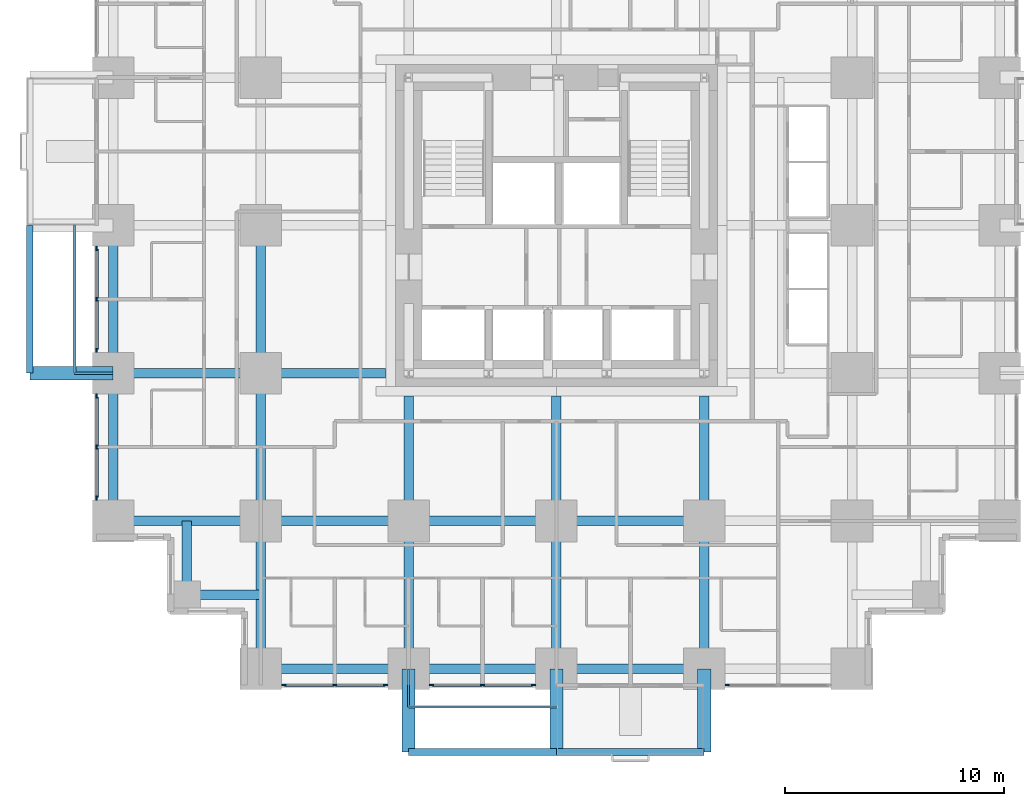
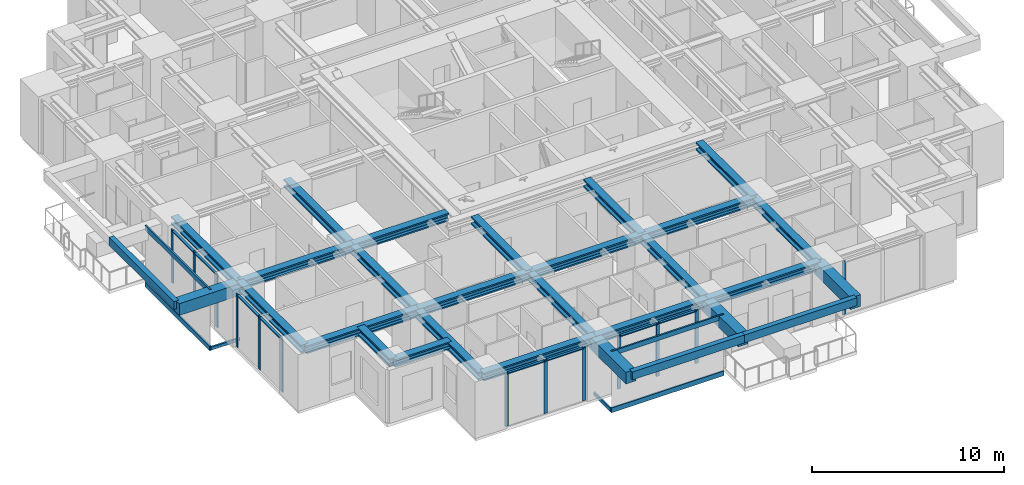
# One storey, part 2 of 14: 29 beams, 27 members, 5 elements without a shape of their own.
"""IFC4 building model written with IfcOpenShell, lengths in metres."""

from ifc_helpers import new_model, si_unit, direction, frame, origin, origin_2d, place, context, subcontext, project, spatial, rectangle, hollow_rectangle, i_section, extrude, material, material_profile, profile_set, type_object, element, aggregate, save


model = new_model("IFC4")

# Units and contexts
model_context = context("Model", 3, precision=1e-05, world=origin(), true_north=direction((0.0, 1.0)))
body_context = subcontext(model_context, "Body", "Model", "MODEL_VIEW")
ifc_project = project(units=[si_unit("LENGTHUNIT", "METRE"), si_unit("AREAUNIT", "SQUARE_METRE"), si_unit("VOLUMEUNIT", "CUBIC_METRE"), si_unit("PLANEANGLEUNIT", "RADIAN"), si_unit("MASSUNIT", "GRAM", prefix="KILO")], contexts=[model_context])

# Site, building, storey
site_placement = place(None, origin())
site = spatial("IfcSite", under=ifc_project, at=site_placement, CompositionType="ELEMENT")
building_placement = place(site_placement, origin())
building = spatial("IfcBuilding", under=site, at=building_placement, Name="Nyansa Garden Tower", CompositionType="ELEMENT")
storey_placement = place(building_placement, frame((0.0, 0.0, 43.199951171875)))
storey = spatial("IfcBuildingStorey", under=building, at=storey_placement, Name="L11", CompositionType="ELEMENT", Elevation=43.199951171875)

# Beams
ifc_material_1 = material(Name="Concrete C70/85", Category="concrete")
ifc_material_profile_1 = material_profile(ifc_material_1, rectangle(XDim=0.60009765625, YDim=0.75, at=origin_2d()), Name="RC 600x750")
ifc_profile_set_1 = profile_set([ifc_material_profile_1], Name="Concrete C70/85")
beam_type_1 = type_object("IfcBeamType", Name="Balcony cantilever beam CB1 RC 600x750", PredefinedType="BEAM", material=ifc_profile_set_1)
for number, where, z_axis, x_axis, name in (
    (1, (13.5, 0.0, 2.985107421875), (0.0, -1.0, 0.0), (1.0, 0.0, 0.0), "Balcony cantilever beam L12"),
    (2, (20.25, 0.0, 2.985107421875), (0.0, -1.0, 0.0), (1.0, 0.0, 0.0), "Balcony cantilever beam L12"),
    (3, (27.0, 0.0, 2.985107421875), (0.0, -1.0, 0.0), (1.0, 0.0, 0.0), "Balcony cantilever beam L12"),
    (4, (0.0, 13.5, 2.985107421875), (-1.0, 0.0, 0.0), (0.0, -1.0, 0.0), "Balcony cantilever beam L12"),
):
    element("IfcBeam", number, at=place(storey_placement, frame(where, z_axis=z_axis, x_axis=x_axis)), inside=storey, type_object=beam_type_1, Name=name, PredefinedType="BEAM", context=body_context, shape_type="SweptSolid", body=[
        extrude(rectangle(XDim=0.60009765625, YDim=0.75, at=origin_2d()), origin(), (0.0, 0.0, 1.0), 3.800048828125),
    ])
ifc_material_2 = material(Name="Concrete C70/85", Category="concrete")
ifc_material_profile_2 = material_profile(ifc_material_2, rectangle(XDim=0.300048828125, YDim=0.5, at=origin_2d()), Name="RC 300x500")
ifc_profile_set_2 = profile_set([ifc_material_profile_2], Name="Concrete C70/85")
beam_type_2 = type_object("IfcBeamType", Name="Balcony edge beam BE1 RC 300x500", PredefinedType="BEAM", material=ifc_profile_set_2)
for number, where, z_axis, x_axis, name in (
    (5, (13.5, -3.800048828125, 3.110107421875), (1.0, 0.0, 0.0), (0.0, 1.0, 0.0), "Balcony edge beam L12"),
    (6, (20.25, -3.800048828125, 3.110107421875), (1.0, 0.0, 0.0), (0.0, 1.0, 0.0), "Balcony edge beam L12"),
    (7, (-3.800048828125, 13.5, 3.110107421875), (0.0, 1.0, 0.0), (-1.0, 0.0, 0.0), "Balcony edge beam L12"),
):
    element("IfcBeam", number, at=place(storey_placement, frame(where, z_axis=z_axis, x_axis=x_axis)), inside=storey, type_object=beam_type_2, Name=name, PredefinedType="BEAM", context=body_context, shape_type="SweptSolid", body=[
        extrude(rectangle(XDim=0.300048828125, YDim=0.5, at=origin_2d()), origin(), (0.0, 0.0, 1.0), 6.75),
    ])

# Curtain wall, members
ifc_material_3 = material(Name="Black anodised aluminium, dark tinted double glazing", Category="aluminium")
curtain_wall_type = type_object("IfcCurtainWallType", Name="Inner skin curtain wall ISW-A", PredefinedType="USERDEFINED", material=ifc_material_3)
curtain_wall_1_placement = place(storey_placement, origin())
curtain_wall_1 = element("IfcCurtainWall", 8, at=curtain_wall_1_placement, inside=storey, type_object=curtain_wall_type, Name="Inner skin curtain wall L11 W", ObjectType="UNITISED CURTAIN WALL", PredefinedType="USERDEFINED")
ifc_material_4 = material(Name="Black anodised aluminium", Category="aluminium")
ifc_material_profile_3 = material_profile(ifc_material_4, rectangle(XDim=0.06494140625, YDim=0.199951171875, at=origin_2d()), Name="Mullion 200x65")
ifc_profile_set_3 = profile_set([ifc_material_profile_3], Name="Black anodised aluminium")
member_type_1 = type_object("IfcMemberType", Name="Mullion ISW-A 200x65", PredefinedType="MULLION", material=ifc_profile_set_3)
member_1_placement = place(storey_placement, frame((-0.75, 19.199951171875, 0.0), z_axis=(0.0, 0.0, 1.0), x_axis=(1.0, 0.0, 0.0)))
member_1 = element("IfcMember", 9, at=member_1_placement, type_object=member_type_1, Name="ISW-A mullion 1", PredefinedType="MULLION", context=body_context, shape_type="SweptSolid", body=[
    extrude(rectangle(XDim=0.06494140625, YDim=0.199951171875, at=origin_2d()), origin(), (0.0, 0.0, 1.0), 3.375),
])
member_2_placement = place(storey_placement, frame((-0.75, 16.875, 0.0), z_axis=(0.0, 0.0, 1.0), x_axis=(1.0, 0.0, 0.0)))
member_2 = element("IfcMember", 10, at=member_2_placement, type_object=member_type_1, Name="ISW-A mullion 2", PredefinedType="MULLION", context=body_context, shape_type="SweptSolid", body=[
    extrude(rectangle(XDim=0.06494140625, YDim=0.199951171875, at=origin_2d()), origin(), (0.0, 0.0, 1.0), 3.375),
])
member_3_placement = place(storey_placement, frame((-0.75, 14.550048828125, 0.0), z_axis=(0.0, 0.0, 1.0), x_axis=(1.0, 0.0, 0.0)))
member_3 = element("IfcMember", 11, at=member_3_placement, type_object=member_type_1, Name="ISW-A mullion 3", PredefinedType="MULLION", context=body_context, shape_type="SweptSolid", body=[
    extrude(rectangle(XDim=0.06494140625, YDim=0.199951171875, at=origin_2d()), origin(), (0.0, 0.0, 1.0), 3.375),
])

curtain_wall_2_placement = place(storey_placement, origin())
curtain_wall_2 = element("IfcCurtainWall", 12, at=curtain_wall_2_placement, inside=storey, type_object=curtain_wall_type, Name="Inner skin curtain wall L11 W", ObjectType="UNITISED CURTAIN WALL", PredefinedType="USERDEFINED")
member_4_placement = place(storey_placement, frame((-0.75, 12.449951171875, 0.0), z_axis=(0.0, 0.0, 1.0), x_axis=(1.0, 0.0, 0.0)))
member_4 = element("IfcMember", 13, at=member_4_placement, type_object=member_type_1, Name="ISW-A mullion 1", PredefinedType="MULLION", context=body_context, shape_type="SweptSolid", body=[
    extrude(rectangle(XDim=0.06494140625, YDim=0.199951171875, at=origin_2d()), origin(), (0.0, 0.0, 1.0), 3.375),
])
member_5_placement = place(storey_placement, frame((-0.75, 10.125, 0.0), z_axis=(0.0, 0.0, 1.0), x_axis=(1.0, 0.0, 0.0)))
member_5 = element("IfcMember", 14, at=member_5_placement, type_object=member_type_1, Name="ISW-A mullion 2", PredefinedType="MULLION", context=body_context, shape_type="SweptSolid", body=[
    extrude(rectangle(XDim=0.06494140625, YDim=0.199951171875, at=origin_2d()), origin(), (0.0, 0.0, 1.0), 3.375),
])
member_6_placement = place(storey_placement, frame((-0.75, 7.800048828125, 0.0), z_axis=(0.0, 0.0, 1.0), x_axis=(1.0, 0.0, 0.0)))
member_6 = element("IfcMember", 15, at=member_6_placement, type_object=member_type_1, Name="ISW-A mullion 3", PredefinedType="MULLION", context=body_context, shape_type="SweptSolid", body=[
    extrude(rectangle(XDim=0.06494140625, YDim=0.199951171875, at=origin_2d()), origin(), (0.0, 0.0, 1.0), 3.375),
])

curtain_wall_3_placement = place(storey_placement, origin())
curtain_wall_3 = element("IfcCurtainWall", 16, at=curtain_wall_3_placement, inside=storey, type_object=curtain_wall_type, Name="Inner skin curtain wall L11 S", ObjectType="UNITISED CURTAIN WALL", PredefinedType="USERDEFINED")
member_7_placement = place(storey_placement, frame((7.800048828125, -0.75, 0.0), z_axis=(0.0, 0.0, 1.0), x_axis=(0.0, 1.0, 0.0)))
member_7 = element("IfcMember", 17, at=member_7_placement, type_object=member_type_1, Name="ISW-A mullion 1", PredefinedType="MULLION", context=body_context, shape_type="SweptSolid", body=[
    extrude(rectangle(XDim=0.06494140625, YDim=0.199951171875, at=origin_2d()), origin(), (0.0, 0.0, 1.0), 3.375),
])
member_8_placement = place(storey_placement, frame((10.125, -0.75, 0.0), z_axis=(0.0, 0.0, 1.0), x_axis=(0.0, 1.0, 0.0)))
member_8 = element("IfcMember", 18, at=member_8_placement, type_object=member_type_1, Name="ISW-A mullion 2", PredefinedType="MULLION", context=body_context, shape_type="SweptSolid", body=[
    extrude(rectangle(XDim=0.06494140625, YDim=0.199951171875, at=origin_2d()), origin(), (0.0, 0.0, 1.0), 3.375),
])
member_9_placement = place(storey_placement, frame((12.449951171875, -0.75, 0.0), z_axis=(0.0, 0.0, 1.0), x_axis=(0.0, 1.0, 0.0)))
member_9 = element("IfcMember", 19, at=member_9_placement, type_object=member_type_1, Name="ISW-A mullion 3", PredefinedType="MULLION", context=body_context, shape_type="SweptSolid", body=[
    extrude(rectangle(XDim=0.06494140625, YDim=0.199951171875, at=origin_2d()), origin(), (0.0, 0.0, 1.0), 3.375),
])

curtain_wall_4_placement = place(storey_placement, origin())
curtain_wall_4 = element("IfcCurtainWall", 20, at=curtain_wall_4_placement, inside=storey, type_object=curtain_wall_type, Name="Inner skin curtain wall L11 S", ObjectType="UNITISED CURTAIN WALL", PredefinedType="USERDEFINED")
member_10_placement = place(storey_placement, frame((14.550048828125, -0.75, 0.0), z_axis=(0.0, 0.0, 1.0), x_axis=(0.0, 1.0, 0.0)))
member_10 = element("IfcMember", 21, at=member_10_placement, type_object=member_type_1, Name="ISW-A mullion 1", PredefinedType="MULLION", context=body_context, shape_type="SweptSolid", body=[
    extrude(rectangle(XDim=0.06494140625, YDim=0.199951171875, at=origin_2d()), origin(), (0.0, 0.0, 1.0), 3.375),
])
member_11_placement = place(storey_placement, frame((16.875, -0.75, 0.0), z_axis=(0.0, 0.0, 1.0), x_axis=(0.0, 1.0, 0.0)))
member_11 = element("IfcMember", 22, at=member_11_placement, type_object=member_type_1, Name="ISW-A mullion 2", PredefinedType="MULLION", context=body_context, shape_type="SweptSolid", body=[
    extrude(rectangle(XDim=0.06494140625, YDim=0.199951171875, at=origin_2d()), origin(), (0.0, 0.0, 1.0), 3.375),
])
member_12_placement = place(storey_placement, frame((19.199951171875, -0.75, 0.0), z_axis=(0.0, 0.0, 1.0), x_axis=(0.0, 1.0, 0.0)))
member_12 = element("IfcMember", 23, at=member_12_placement, type_object=member_type_1, Name="ISW-A mullion 3", PredefinedType="MULLION", context=body_context, shape_type="SweptSolid", body=[
    extrude(rectangle(XDim=0.06494140625, YDim=0.199951171875, at=origin_2d()), origin(), (0.0, 0.0, 1.0), 3.375),
])

# Curtain wall, member
curtain_wall_5_placement = place(storey_placement, origin())
curtain_wall_5 = element("IfcCurtainWall", 24, at=curtain_wall_5_placement, inside=storey, type_object=curtain_wall_type, Name="Inner skin curtain wall L11 S", ObjectType="UNITISED CURTAIN WALL", PredefinedType="USERDEFINED")
member_13_placement = place(storey_placement, frame((28.050048828125, -0.75, 0.0), z_axis=(0.0, 0.0, 1.0), x_axis=(0.0, 1.0, 0.0)))
member_13 = element("IfcMember", 25, at=member_13_placement, type_object=member_type_1, Name="ISW-A mullion 1", PredefinedType="MULLION", context=body_context, shape_type="SweptSolid", body=[
    extrude(rectangle(XDim=0.06494140625, YDim=0.199951171875, at=origin_2d()), origin(), (0.0, 0.0, 1.0), 3.375),
])
aggregate(curtain_wall_5, [member_13])

# Members
ifc_material_5 = material(Name="Steel S355, black powder coated", Category="steel")
ifc_material_profile_4 = material_profile(ifc_material_5, hollow_rectangle(XDim=0.10009765625, YDim=0.199951171875, WallThickness=0.008056640625, at=origin_2d()), Name="RHS 200x100x8")
ifc_profile_set_4 = profile_set([ifc_material_profile_4], Name="Steel S355, black powder coated")
member_type_2 = type_object("IfcMemberType", Name="Outer skin bracket arm RHS 200x100x8", PredefinedType="USERDEFINED", material=ifc_profile_set_4)
for number, where, z_axis, x_axis, name in (
    (26, (0.0, 13.5, -0.375), (-1.0, 0.0, 0.0), (0.0, -1.0, 0.0), "Outer skin bracket arm"),
    (27, (13.5, 0.0, -0.375), (0.0, -1.0, 0.0), (1.0, 0.0, 0.0), "Outer skin bracket arm"),
):
    element("IfcMember", number, at=place(storey_placement, frame(where, z_axis=z_axis, x_axis=x_axis)), inside=storey, type_object=member_type_2, Name=name, ObjectType="OUTER SKIN BRACKET", PredefinedType="USERDEFINED", context=body_context, shape_type="SweptSolid", body=[
        extrude(hollow_rectangle(XDim=0.10009765625, YDim=0.199951171875, WallThickness=0.008056640625, at=origin_2d()), origin(), (0.0, 0.0, 1.0), 1.75),
    ])
ifc_material_6 = material(Name="Steel S355, black powder coated", Category="steel")
ifc_material_profile_5 = material_profile(ifc_material_6, hollow_rectangle(XDim=0.10009765625, YDim=0.300048828125, WallThickness=0.010009765625, at=origin_2d()), Name="RHS 300x100x10")
ifc_profile_set_5 = profile_set([ifc_material_profile_5], Name="Steel S355, black powder coated")
member_type_3 = type_object("IfcMemberType", Name="Outer skin rail RHS 300x100x10", PredefinedType="USERDEFINED", material=ifc_profile_set_5)
for number, where, z_axis, x_axis, name in (
    (28, (-1.75, 13.5, -0.375), (0.0, 1.0, 0.0), (-1.0, 0.0, 0.0), "Outer skin rail L11"),
    (29, (-1.75, 13.5, 3.22509765625), (0.0, 1.0, 0.0), (-1.0, 0.0, 0.0), "Outer skin rail L11 head"),
    (30, (13.5, -1.75, -0.375), (1.0, 0.0, 0.0), (0.0, 1.0, 0.0), "Outer skin rail L11"),
    (31, (13.5, -1.75, 3.22509765625), (1.0, 0.0, 0.0), (0.0, 1.0, 0.0), "Outer skin rail L11 head"),
):
    element("IfcMember", number, at=place(storey_placement, frame(where, z_axis=z_axis, x_axis=x_axis)), inside=storey, type_object=member_type_3, Name=name, ObjectType="OUTER SKIN RAIL", PredefinedType="USERDEFINED", context=body_context, shape_type="SweptSolid", body=[
        extrude(hollow_rectangle(XDim=0.10009765625, YDim=0.300048828125, WallThickness=0.010009765625, at=origin_2d()), origin(), (0.0, 0.0, 1.0), 6.75),
    ])

# Beams
ifc_material_7 = material(Name="Steel S355", Category="steel")
ifc_material_profile_6 = material_profile(ifc_material_7, i_section(OverallWidth=0.431884765625, OverallDepth=0.498046875, WebThickness=0.0556640625, FlangeThickness=0.0888671875, FilletRadius=0.014892578125, at=origin_2d()), Name="HD 400x744")
ifc_profile_set_6 = profile_set([ifc_material_profile_6], Name="Steel S355")
beam_type_3 = type_object("IfcBeamType", Name="Steel beam SBA1-744 HD 400x744", PredefinedType="BEAM", material=ifc_profile_set_6)
for number, where, z_axis, x_axis, name in (
    (32, (0.0, 6.75, 3.1259765625), (1.0, 0.0, 0.0), (0.0, 1.0, 0.0), "Steel beam 2/E-3/E L12"),
    (33, (0.0, 13.5, 3.1259765625), (1.0, 0.0, 0.0), (0.0, 1.0, 0.0), "Steel beam 2/F-3/F L12"),
    (34, (6.75, 0.0, 3.1259765625), (0.0, 1.0, 0.0), (-1.0, 0.0, 0.0), "Steel beam 3/D-3/E L12"),
    (35, (6.75, 6.75, 3.1259765625), (0.0, 1.0, 0.0), (-1.0, 0.0, 0.0), "Steel beam 3/E-3/F L12"),
    (36, (6.75, 6.75, 3.1259765625), (1.0, 0.0, 0.0), (0.0, 1.0, 0.0), "Steel beam 3/E-4/E L12"),
    (37, (6.75, 13.5, 3.1259765625), (0.0, 1.0, 0.0), (-1.0, 0.0, 0.0), "Steel beam 3/F-3/G L12"),
):
    element("IfcBeam", number, at=place(storey_placement, frame(where, z_axis=z_axis, x_axis=x_axis)), inside=storey, type_object=beam_type_3, Name=name, PredefinedType="BEAM", context=body_context, shape_type="SweptSolid", body=[
        extrude(i_section(OverallWidth=0.431884765625, OverallDepth=0.498046875, WebThickness=0.0556640625, FlangeThickness=0.0888671875, FilletRadius=0.014892578125, at=origin_2d()), origin(), (0.0, 0.0, 1.0), 6.75),
    ])
beam_1_placement = place(storey_placement, frame((6.75, 13.5, 3.1259765625), z_axis=(1.0, 0.0, 0.0), x_axis=(0.0, 1.0, 0.0)))
element("IfcBeam", 38, at=beam_1_placement, inside=storey, type_object=beam_type_3, Name="Steel beam 3/F-12.450/F L12", PredefinedType="BEAM", context=body_context, shape_type="SweptSolid", body=[
    extrude(i_section(OverallWidth=0.431884765625, OverallDepth=0.498046875, WebThickness=0.0556640625, FlangeThickness=0.0888671875, FilletRadius=0.014892578125, at=origin_2d()), origin(), (0.0, 0.0, 1.0), 5.699951171875),
])
beam_2_placement = place(storey_placement, frame((13.5, 0.0, 3.1259765625), z_axis=(0.0, 1.0, 0.0), x_axis=(-1.0, 0.0, 0.0)))
element("IfcBeam", 39, at=beam_2_placement, inside=storey, type_object=beam_type_3, Name="Steel beam 4/D-4/E L12", PredefinedType="BEAM", context=body_context, shape_type="SweptSolid", body=[
    extrude(i_section(OverallWidth=0.431884765625, OverallDepth=0.498046875, WebThickness=0.0556640625, FlangeThickness=0.0888671875, FilletRadius=0.014892578125, at=origin_2d()), origin(), (0.0, 0.0, 1.0), 6.75),
])
beam_3_placement = place(storey_placement, frame((13.5, 6.75, 3.1259765625), z_axis=(0.0, 1.0, 0.0), x_axis=(-1.0, 0.0, 0.0)))
element("IfcBeam", 40, at=beam_3_placement, inside=storey, type_object=beam_type_3, Name="Steel beam 4/E-4/12.450 L12", PredefinedType="BEAM", context=body_context, shape_type="SweptSolid", body=[
    extrude(i_section(OverallWidth=0.431884765625, OverallDepth=0.498046875, WebThickness=0.0556640625, FlangeThickness=0.0888671875, FilletRadius=0.014892578125, at=origin_2d()), origin(), (0.0, 0.0, 1.0), 5.699951171875),
])
for number, where, z_axis, x_axis, name in (
    (41, (13.5, 6.75, 3.1259765625), (1.0, 0.0, 0.0), (0.0, 1.0, 0.0), "Steel beam 4/E-5/E L12"),
    (42, (20.25, 0.0, 3.1259765625), (0.0, 1.0, 0.0), (-1.0, 0.0, 0.0), "Steel beam 5/D-5/E L12"),
):
    element("IfcBeam", number, at=place(storey_placement, frame(where, z_axis=z_axis, x_axis=x_axis)), inside=storey, type_object=beam_type_3, Name=name, PredefinedType="BEAM", context=body_context, shape_type="SweptSolid", body=[
        extrude(i_section(OverallWidth=0.431884765625, OverallDepth=0.498046875, WebThickness=0.0556640625, FlangeThickness=0.0888671875, FilletRadius=0.014892578125, at=origin_2d()), origin(), (0.0, 0.0, 1.0), 6.75),
    ])
beam_4_placement = place(storey_placement, frame((20.25, 6.75, 3.1259765625), z_axis=(0.0, 1.0, 0.0), x_axis=(-1.0, 0.0, 0.0)))
element("IfcBeam", 43, at=beam_4_placement, inside=storey, type_object=beam_type_3, Name="Steel beam 5/E-5/12.450 L12", PredefinedType="BEAM", context=body_context, shape_type="SweptSolid", body=[
    extrude(i_section(OverallWidth=0.431884765625, OverallDepth=0.498046875, WebThickness=0.0556640625, FlangeThickness=0.0888671875, FilletRadius=0.014892578125, at=origin_2d()), origin(), (0.0, 0.0, 1.0), 5.699951171875),
])
for number, where, z_axis, x_axis, name in (
    (44, (20.25, 6.75, 3.1259765625), (1.0, 0.0, 0.0), (0.0, 1.0, 0.0), "Steel beam 5/E-6/E L12"),
    (45, (27.0, 0.0, 3.1259765625), (0.0, 1.0, 0.0), (-1.0, 0.0, 0.0), "Steel beam 6/D-6/E L12"),
):
    element("IfcBeam", number, at=place(storey_placement, frame(where, z_axis=z_axis, x_axis=x_axis)), inside=storey, type_object=beam_type_3, Name=name, PredefinedType="BEAM", context=body_context, shape_type="SweptSolid", body=[
        extrude(i_section(OverallWidth=0.431884765625, OverallDepth=0.498046875, WebThickness=0.0556640625, FlangeThickness=0.0888671875, FilletRadius=0.014892578125, at=origin_2d()), origin(), (0.0, 0.0, 1.0), 6.75),
    ])
beam_5_placement = place(storey_placement, frame((27.0, 6.75, 3.1259765625), z_axis=(0.0, 1.0, 0.0), x_axis=(-1.0, 0.0, 0.0)))
element("IfcBeam", 46, at=beam_5_placement, inside=storey, type_object=beam_type_3, Name="Steel beam 6/E-6/12.450 L12", PredefinedType="BEAM", context=body_context, shape_type="SweptSolid", body=[
    extrude(i_section(OverallWidth=0.431884765625, OverallDepth=0.498046875, WebThickness=0.0556640625, FlangeThickness=0.0888671875, FilletRadius=0.014892578125, at=origin_2d()), origin(), (0.0, 0.0, 1.0), 5.699951171875),
])
ifc_material_8 = material(Name="Steel S355", Category="steel")
ifc_material_profile_7 = material_profile(ifc_material_8, i_section(OverallWidth=0.431884765625, OverallDepth=0.498046875, WebThickness=0.0556640625, FlangeThickness=0.0888671875, FilletRadius=0.014892578125, at=origin_2d()), Name="HD 400x744")
ifc_profile_set_7 = profile_set([ifc_material_profile_7], Name="Steel S355")
beam_type_4 = type_object("IfcBeamType", Name="Steel beam SEBA-744 HD 400x744", PredefinedType="BEAM", material=ifc_profile_set_7)
for number, where, z_axis, x_axis, name in (
    (47, (0.0, 6.75, 3.1259765625), (0.0, 1.0, 0.0), (-1.0, 0.0, 0.0), "Steel edge beam 2/E-2/F L12"),
    (48, (0.0, 13.5, 3.1259765625), (0.0, 1.0, 0.0), (-1.0, 0.0, 0.0), "Steel edge beam 2/F-2/G L12"),
    (49, (6.75, 0.0, 3.1259765625), (1.0, 0.0, 0.0), (0.0, 1.0, 0.0), "Steel edge beam 3/D-4/D L12"),
    (50, (13.5, 0.0, 3.1259765625), (1.0, 0.0, 0.0), (0.0, 1.0, 0.0), "Steel edge beam 4/D-5/D L12"),
    (51, (20.25, 0.0, 3.1259765625), (1.0, 0.0, 0.0), (0.0, 1.0, 0.0), "Steel edge beam 5/D-6/D L12"),
):
    element("IfcBeam", number, at=place(storey_placement, frame(where, z_axis=z_axis, x_axis=x_axis)), inside=storey, type_object=beam_type_4, Name=name, PredefinedType="BEAM", context=body_context, shape_type="SweptSolid", body=[
        extrude(i_section(OverallWidth=0.431884765625, OverallDepth=0.498046875, WebThickness=0.0556640625, FlangeThickness=0.0888671875, FilletRadius=0.014892578125, at=origin_2d()), origin(), (0.0, 0.0, 1.0), 6.75),
    ])
ifc_material_9 = material(Name="Steel S355", Category="steel")
ifc_material_profile_8 = material_profile(ifc_material_9, i_section(OverallWidth=0.431884765625, OverallDepth=0.498046875, WebThickness=0.0556640625, FlangeThickness=0.0888671875, FilletRadius=0.014892578125, at=origin_2d()), Name="HD 400x744")
ifc_profile_set_8 = profile_set([ifc_material_profile_8], Name="Steel S355")
beam_type_5 = type_object("IfcBeamType", Name="Steel beam SSB1-744 HD 400x744", PredefinedType="BEAM", material=ifc_profile_set_8)
for number, where, z_axis, x_axis, name in (
    (52, (3.375, 3.375, 3.1259765625), (0.0, 1.0, 0.0), (-1.0, 0.0, 0.0), "Steel step beam 3.375/3.375 L12"),
    (53, (3.375, 3.375, 3.1259765625), (1.0, 0.0, 0.0), (0.0, 1.0, 0.0), "Steel step beam 3.375/3.375 L12"),
):
    element("IfcBeam", number, at=place(storey_placement, frame(where, z_axis=z_axis, x_axis=x_axis)), inside=storey, type_object=beam_type_5, Name=name, PredefinedType="BEAM", context=body_context, shape_type="SweptSolid", body=[
        extrude(i_section(OverallWidth=0.431884765625, OverallDepth=0.498046875, WebThickness=0.0556640625, FlangeThickness=0.0888671875, FilletRadius=0.014892578125, at=origin_2d()), origin(), (0.0, 0.0, 1.0), 3.375),
    ])

# Member
ifc_material_10 = material(Name="Black anodised aluminium", Category="aluminium")
ifc_material_profile_9 = material_profile(ifc_material_10, rectangle(XDim=0.14990234375, YDim=0.06494140625, at=origin_2d()), Name="Transom 150x65")
ifc_profile_set_9 = profile_set([ifc_material_profile_9], Name="Black anodised aluminium")
member_type_4 = type_object("IfcMemberType", Name="Transom ISW-A 150x65", PredefinedType="USERDEFINED", material=ifc_profile_set_9)
member_14_placement = place(storey_placement, frame((-0.75, 19.16748046875, 3.342529296875), z_axis=(0.0, -1.0, 0.0), x_axis=(1.0, 0.0, 0.0)))
member_14 = element("IfcMember", 54, at=member_14_placement, type_object=member_type_4, Name="ISW-A transom 1", ObjectType="TRANSOM", PredefinedType="USERDEFINED", context=body_context, shape_type="SweptSolid", body=[
    extrude(rectangle(XDim=0.14990234375, YDim=0.06494140625, at=origin_2d()), origin(), (0.0, 0.0, 1.0), 2.260009765625),
])

member_15_placement = place(storey_placement, frame((-0.75, 16.842529296875, 3.342529296875), z_axis=(0.0, -1.0, 0.0), x_axis=(1.0, 0.0, 0.0)))
member_15 = element("IfcMember", 55, at=member_15_placement, type_object=member_type_4, Name="ISW-A transom 2", ObjectType="TRANSOM", PredefinedType="USERDEFINED", context=body_context, shape_type="SweptSolid", body=[
    extrude(rectangle(XDim=0.14990234375, YDim=0.06494140625, at=origin_2d()), origin(), (0.0, 0.0, 1.0), 2.260009765625),
])

aggregate(curtain_wall_1, [member_1, member_2, member_3, member_14, member_15])

member_16_placement = place(storey_placement, frame((-0.75, 12.41748046875, 3.342529296875), z_axis=(0.0, -1.0, 0.0), x_axis=(1.0, 0.0, 0.0)))
member_16 = element("IfcMember", 56, at=member_16_placement, type_object=member_type_4, Name="ISW-A transom 1", ObjectType="TRANSOM", PredefinedType="USERDEFINED", context=body_context, shape_type="SweptSolid", body=[
    extrude(rectangle(XDim=0.14990234375, YDim=0.06494140625, at=origin_2d()), origin(), (0.0, 0.0, 1.0), 2.260009765625),
])

member_17_placement = place(storey_placement, frame((-0.75, 10.092529296875, 3.342529296875), z_axis=(0.0, -1.0, 0.0), x_axis=(1.0, 0.0, 0.0)))
member_17 = element("IfcMember", 57, at=member_17_placement, type_object=member_type_4, Name="ISW-A transom 2", ObjectType="TRANSOM", PredefinedType="USERDEFINED", context=body_context, shape_type="SweptSolid", body=[
    extrude(rectangle(XDim=0.14990234375, YDim=0.06494140625, at=origin_2d()), origin(), (0.0, 0.0, 1.0), 2.260009765625),
])

aggregate(curtain_wall_2, [member_4, member_5, member_6, member_16, member_17])

member_18_placement = place(storey_placement, frame((7.83251953125, -0.75, 3.342529296875), z_axis=(1.0, 0.0, 0.0), x_axis=(0.0, 1.0, 0.0)))
member_18 = element("IfcMember", 58, at=member_18_placement, type_object=member_type_4, Name="ISW-A transom 1", ObjectType="TRANSOM", PredefinedType="USERDEFINED", context=body_context, shape_type="SweptSolid", body=[
    extrude(rectangle(XDim=0.14990234375, YDim=0.06494140625, at=origin_2d()), origin(), (0.0, 0.0, 1.0), 2.260009765625),
])

member_19_placement = place(storey_placement, frame((10.157470703125, -0.75, 3.342529296875), z_axis=(1.0, 0.0, 0.0), x_axis=(0.0, 1.0, 0.0)))
member_19 = element("IfcMember", 59, at=member_19_placement, type_object=member_type_4, Name="ISW-A transom 2", ObjectType="TRANSOM", PredefinedType="USERDEFINED", context=body_context, shape_type="SweptSolid", body=[
    extrude(rectangle(XDim=0.14990234375, YDim=0.06494140625, at=origin_2d()), origin(), (0.0, 0.0, 1.0), 2.260009765625),
])

aggregate(curtain_wall_3, [member_7, member_8, member_9, member_18, member_19])

member_20_placement = place(storey_placement, frame((14.58251953125, -0.75, 3.342529296875), z_axis=(1.0, 0.0, 0.0), x_axis=(0.0, 1.0, 0.0)))
member_20 = element("IfcMember", 60, at=member_20_placement, type_object=member_type_4, Name="ISW-A transom 1", ObjectType="TRANSOM", PredefinedType="USERDEFINED", context=body_context, shape_type="SweptSolid", body=[
    extrude(rectangle(XDim=0.14990234375, YDim=0.06494140625, at=origin_2d()), origin(), (0.0, 0.0, 1.0), 2.260009765625),
])

member_21_placement = place(storey_placement, frame((16.907470703125, -0.75, 3.342529296875), z_axis=(1.0, 0.0, 0.0), x_axis=(0.0, 1.0, 0.0)))
member_21 = element("IfcMember", 61, at=member_21_placement, type_object=member_type_4, Name="ISW-A transom 2", ObjectType="TRANSOM", PredefinedType="USERDEFINED", context=body_context, shape_type="SweptSolid", body=[
    extrude(rectangle(XDim=0.14990234375, YDim=0.06494140625, at=origin_2d()), origin(), (0.0, 0.0, 1.0), 2.260009765625),
])

aggregate(curtain_wall_4, [member_10, member_11, member_12, member_20, member_21])

save(model, "model.ifc")
